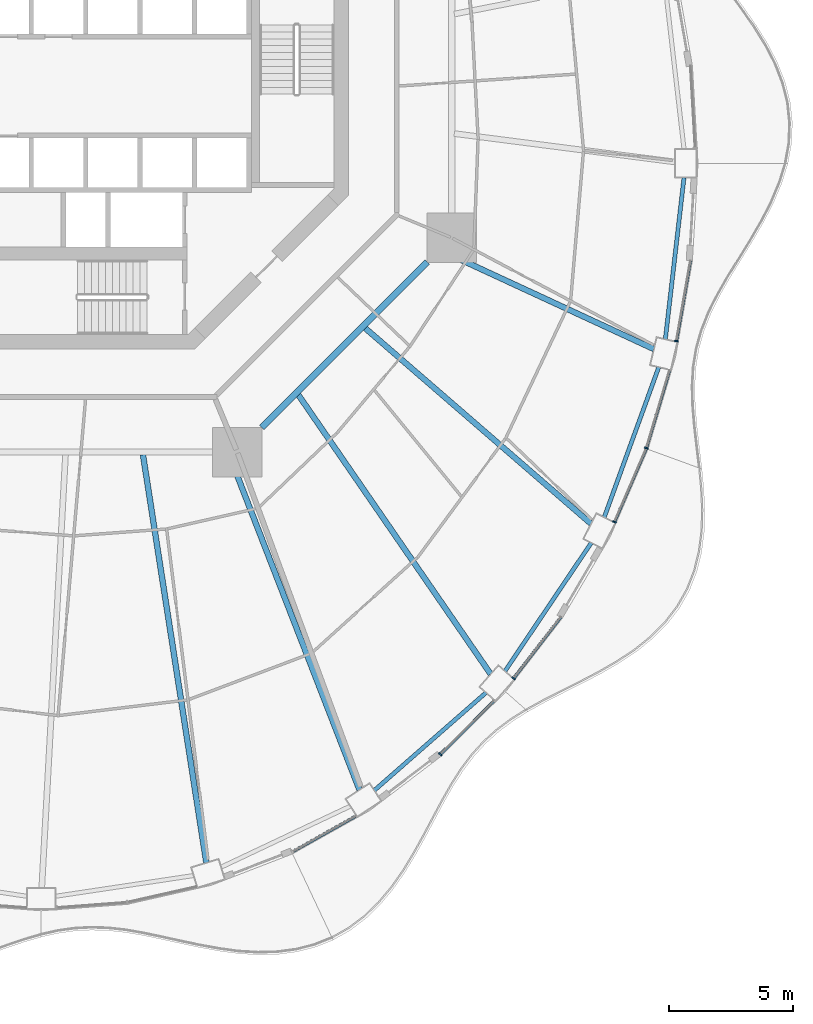
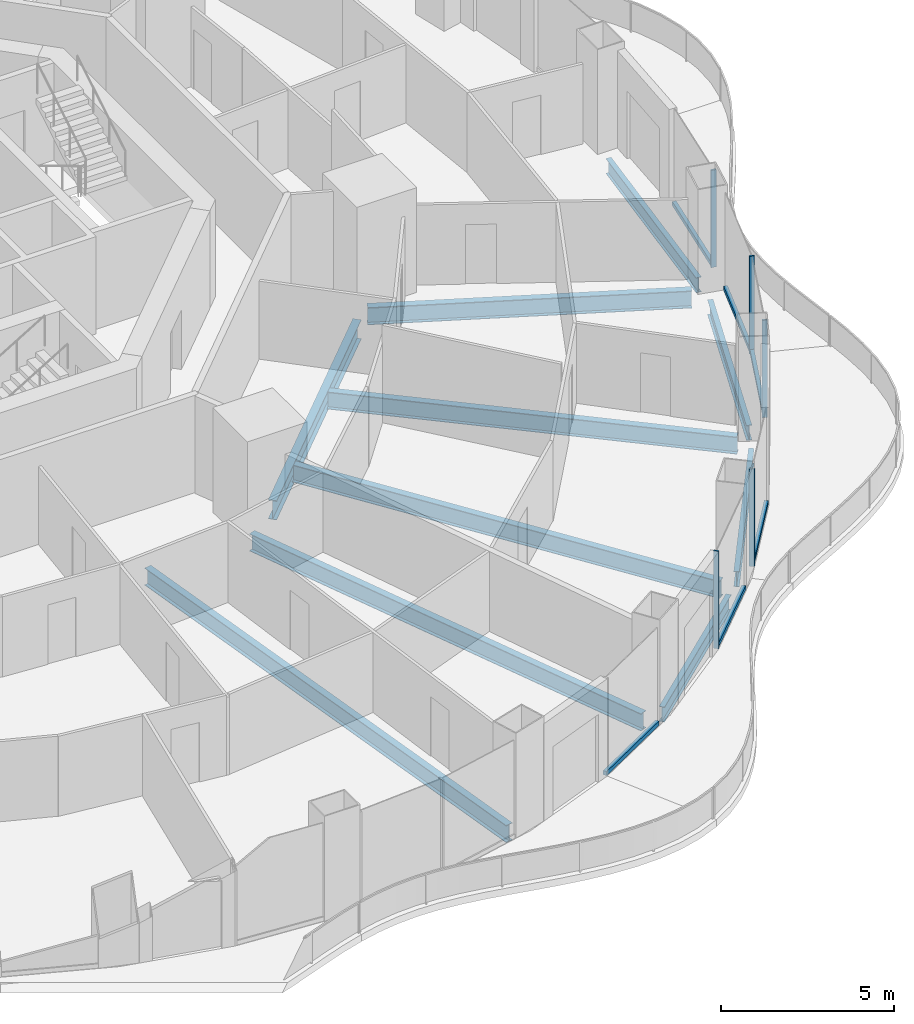
# One storey, part 5 of 20: 11 members, 10 beams, 6 elements without a shape of their own.
"""IFC4 building model written with IfcOpenShell, lengths in metres."""

from ifc_helpers import new_model, si_unit, direction, frame, origin, origin_2d, place, context, subcontext, project, spatial, rectangle, i_section, extrude, material, layer, layer_set, material_profile, profile_set, type_object, element, aggregate, save


model = new_model("IFC4")

# Units and contexts
model_context = context("Model", 3, precision=1e-05, world=origin(), true_north=direction((0.0, 1.0)))
body_context = subcontext(model_context, "Body", "Model", "MODEL_VIEW")
ifc_project = project(units=[si_unit("LENGTHUNIT", "METRE"), si_unit("AREAUNIT", "SQUARE_METRE"), si_unit("VOLUMEUNIT", "CUBIC_METRE"), si_unit("PLANEANGLEUNIT", "RADIAN"), si_unit("MASSUNIT", "GRAM", prefix="KILO")], contexts=[model_context])

# Site, building, storey
site_placement = place(None, origin())
site = spatial("IfcSite", under=ifc_project, at=site_placement, CompositionType="ELEMENT")
building_placement = place(site_placement, origin())
building = spatial("IfcBuilding", under=site, at=building_placement, Name="Nagisa Residences", CompositionType="ELEMENT")
storey_placement = place(building_placement, frame((0.0, 0.0, 123.300048828125)))
storey = spatial("IfcBuildingStorey", under=building, at=storey_placement, Name="L30", CompositionType="ELEMENT", Elevation=123.300048828125)

# Curtain wall, member
ifc_material_1 = material(Name="Concrete-coloured aluminium curtain wall system", Category="concrete")
ifc_layer = layer(ifc_material_1, 0.159912109375)
ifc_layer_set = layer_set([ifc_layer], Name="CW1 CURTAIN WALL")
curtain_wall_type = type_object("IfcCurtainWallType", Name="CW1 CURTAIN WALL", PredefinedType="NOTDEFINED", material=ifc_layer_set)
curtain_wall_1_placement = place(storey_placement, origin())
curtain_wall_1 = element("IfcCurtainWall", 1, at=curtain_wall_1_placement, inside=storey, type_object=curtain_wall_type, Name="cw:CW1:L30:41", PredefinedType="NOTDEFINED")
ifc_material_2 = material(Name="Concrete-coloured aluminium", Category="concrete")
ifc_material_profile_1 = material_profile(ifc_material_2, rectangle(XDim=0.159912109375, YDim=0.06005859375, at=origin_2d()), Name="CW1 MULLION 160x60")
ifc_profile_set_1 = profile_set([ifc_material_profile_1], Name="Concrete-coloured aluminium")
member_type_1 = type_object("IfcMemberType", Name="CW1 MULLION 160x60", PredefinedType="MULLION", material=ifc_profile_set_1)
member_1_placement = place(storey_placement, frame((14.318115234375, -26.9951171875, 0.0), z_axis=(0.0, 0.0, 1.0), x_axis=(-0.706376885714, 0.707835924016, 0.0)))
member_1 = element("IfcMember", 2, at=member_1_placement, type_object=member_type_1, Name="CW1 mullion", PredefinedType="MULLION", context=body_context, shape_type="SweptSolid", body=[
    extrude(rectangle(XDim=0.159912109375, YDim=0.06005859375, at=origin_2d()), origin(), (0.0, 0.0, 1.0), 3.43994140625),
])

curtain_wall_2_placement = place(storey_placement, origin())
curtain_wall_2 = element("IfcCurtainWall", 3, at=curtain_wall_2_placement, inside=storey, type_object=curtain_wall_type, Name="cw:CW1:L30:42", PredefinedType="NOTDEFINED")
member_2_placement = place(storey_placement, frame((17.2841796875, -23.9208984375, 0.0), z_axis=(0.0, 0.0, 1.0), x_axis=(-0.792070340816, 0.610429828235, 0.0)))
member_2 = element("IfcMember", 4, at=member_2_placement, type_object=member_type_1, Name="CW1 mullion", PredefinedType="MULLION", context=body_context, shape_type="SweptSolid", body=[
    extrude(rectangle(XDim=0.159912109375, YDim=0.06005859375, at=origin_2d()), origin(), (0.0, 0.0, 1.0), 3.43994140625),
])

curtain_wall_3_placement = place(storey_placement, origin())
curtain_wall_3 = element("IfcCurtainWall", 5, at=curtain_wall_3_placement, inside=storey, type_object=curtain_wall_type, Name="cw:CW1:L30:44", PredefinedType="NOTDEFINED")
member_3_placement = place(storey_placement, frame((21.357177734375, -17.605224609375, 0.0), z_axis=(0.0, 0.0, 1.0), x_axis=(-0.917543276295, 0.397635934147, 0.0)))
member_3 = element("IfcMember", 6, at=member_3_placement, type_object=member_type_1, Name="CW1 mullion", PredefinedType="MULLION", context=body_context, shape_type="SweptSolid", body=[
    extrude(rectangle(XDim=0.159912109375, YDim=0.06005859375, at=origin_2d()), origin(), (0.0, 0.0, 1.0), 3.43994140625),
])

curtain_wall_4_placement = place(storey_placement, origin())
curtain_wall_4 = element("IfcCurtainWall", 7, at=curtain_wall_4_placement, inside=storey, type_object=curtain_wall_type, Name="cw:CW1:L30:45", PredefinedType="NOTDEFINED")
member_4_placement = place(storey_placement, frame((22.64697265625, -14.62109375, 0.0), z_axis=(0.0, 0.0, 1.0), x_axis=(-0.958271310082, 0.285860274038, 0.0)))
member_4 = element("IfcMember", 8, at=member_4_placement, type_object=member_type_1, Name="CW1 mullion", PredefinedType="MULLION", context=body_context, shape_type="SweptSolid", body=[
    extrude(rectangle(XDim=0.159912109375, YDim=0.06005859375, at=origin_2d()), origin(), (0.0, 0.0, 1.0), 3.43994140625),
])

curtain_wall_5_placement = place(storey_placement, origin())
curtain_wall_5 = element("IfcCurtainWall", 9, at=curtain_wall_5_placement, inside=storey, type_object=curtain_wall_type, Name="cw:CW1:L30:46", PredefinedType="NOTDEFINED")
member_5_placement = place(storey_placement, frame((23.860595703125, -10.29833984375, 0.0), z_axis=(0.0, 0.0, 1.0), x_axis=(-0.985063604377, 0.172190868898, 0.0)))
member_5 = element("IfcMember", 10, at=member_5_placement, type_object=member_type_1, Name="CW1 mullion", PredefinedType="MULLION", context=body_context, shape_type="SweptSolid", body=[
    extrude(rectangle(XDim=0.159912109375, YDim=0.06005859375, at=origin_2d()), origin(), (0.0, 0.0, 1.0), 3.43994140625),
])

curtain_wall_6_placement = place(storey_placement, origin())
curtain_wall_6 = element("IfcCurtainWall", 11, at=curtain_wall_6_placement, inside=storey, type_object=curtain_wall_type, Name="cw:CW1:L30:39", PredefinedType="NOTDEFINED")
ifc_material_3 = material(Name="Concrete-coloured aluminium", Category="concrete")
ifc_material_profile_2 = material_profile(ifc_material_3, rectangle(XDim=0.1201171875, YDim=0.14990234375, at=origin_2d()), Name="CW1 TRANSOM 120x150")
ifc_profile_set_2 = profile_set([ifc_material_profile_2], Name="Concrete-coloured aluminium")
member_type_2 = type_object("IfcMemberType", Name="CW1 TRANSOM 120x150", PredefinedType="USERDEFINED", material=ifc_profile_set_2)
member_6_placement = place(storey_placement, frame((8.3154296875, -30.944580078125, 0.074951171875), z_axis=(0.87204719449, 0.4894217921, 0.0), x_axis=(-0.4894217921, 0.87204719449, 0.0)))
member_6 = element("IfcMember", 12, at=member_6_placement, type_object=member_type_2, Name="CW1 transom", ObjectType="TRANSOM", PredefinedType="USERDEFINED", context=body_context, shape_type="SweptSolid", body=[
    extrude(rectangle(XDim=0.1201171875, YDim=0.14990234375, at=origin_2d()), origin(), (0.0, 0.0, 1.0), 2.969482421875),
])
aggregate(curtain_wall_6, [member_6])

# Member
member_7_placement = place(storey_placement, frame((14.296875, -27.016357421875, 0.074951171875), z_axis=(0.707857739375, 0.706355024621, 0.0), x_axis=(-0.706355024621, 0.707857739375, 0.0)))
member_7 = element("IfcMember", 13, at=member_7_placement, type_object=member_type_2, Name="CW1 transom", ObjectType="TRANSOM", PredefinedType="USERDEFINED", context=body_context, shape_type="SweptSolid", body=[
    extrude(rectangle(XDim=0.1201171875, YDim=0.14990234375, at=origin_2d()), origin(), (0.0, 0.0, 1.0), 3.0869140625),
])

aggregate(curtain_wall_1, [member_1, member_7])

member_8_placement = place(storey_placement, frame((17.265869140625, -23.94482421875, 0.074951171875), z_axis=(0.610429847179, 0.792070326217, 0.0), x_axis=(-0.792070326217, 0.610429847179, 0.0)))
member_8 = element("IfcMember", 14, at=member_8_placement, type_object=member_type_2, Name="CW1 transom", ObjectType="TRANSOM", PredefinedType="USERDEFINED", context=body_context, shape_type="SweptSolid", body=[
    extrude(rectangle(XDim=0.1201171875, YDim=0.14990234375, at=origin_2d()), origin(), (0.0, 0.0, 1.0), 3.149169921875),
])

aggregate(curtain_wall_2, [member_2, member_8])

member_9_placement = place(storey_placement, frame((21.34521484375, -17.6328125, 0.074951171875), z_axis=(0.397666272939, 0.917530127771, 0.0), x_axis=(-0.917530127771, 0.397666272939, 0.0)))
member_9 = element("IfcMember", 15, at=member_9_placement, type_object=member_type_2, Name="CW1 transom", ObjectType="TRANSOM", PredefinedType="USERDEFINED", context=body_context, shape_type="SweptSolid", body=[
    extrude(rectangle(XDim=0.1201171875, YDim=0.14990234375, at=origin_2d()), origin(), (0.0, 0.0, 1.0), 3.260498046875),
])

aggregate(curtain_wall_3, [member_3, member_9])

member_10_placement = place(storey_placement, frame((22.638427734375, -14.64990234375, 0.074951171875), z_axis=(0.285909915381, 0.958256500258, 0.0), x_axis=(-0.958256500258, 0.285909915381, 0.0)))
member_10 = element("IfcMember", 16, at=member_10_placement, type_object=member_type_2, Name="CW1 transom", ObjectType="TRANSOM", PredefinedType="USERDEFINED", context=body_context, shape_type="SweptSolid", body=[
    extrude(rectangle(XDim=0.1201171875, YDim=0.14990234375, at=origin_2d()), origin(), (0.0, 0.0, 1.0), 3.302978515625),
])

aggregate(curtain_wall_4, [member_4, member_10])

member_11_placement = place(storey_placement, frame((23.85546875, -10.327880859375, 0.074951171875), z_axis=(0.172163521006, 0.985068384446, 0.0), x_axis=(-0.985068384446, 0.172163521006, 0.0)))
member_11 = element("IfcMember", 17, at=member_11_placement, type_object=member_type_2, Name="CW1 transom", ObjectType="TRANSOM", PredefinedType="USERDEFINED", context=body_context, shape_type="SweptSolid", body=[
    extrude(rectangle(XDim=0.1201171875, YDim=0.14990234375, at=origin_2d()), origin(), (0.0, 0.0, 1.0), 3.33251953125),
])

aggregate(curtain_wall_5, [member_5, member_11])

# Beams
ifc_material_4 = material(Name="Steel ASTM A572 Gr 50", Category="steel")
ifc_material_profile_3 = material_profile(ifc_material_4, i_section(OverallWidth=0.25390625, OverallDepth=0.68408203125, WebThickness=0.012451171875, FlangeThickness=0.018798828125, at=origin_2d()), Name="W690x140")
ifc_profile_set_3 = profile_set([ifc_material_profile_3], Name="Steel ASTM A572 Gr 50")
beam_type_1 = type_object("IfcBeamType", Name="Inner ring beam W690x140", PredefinedType="BEAM", material=ifc_profile_set_3)
beam_1_placement = place(storey_placement, frame((7.10888671875, -13.796142578125, -0.60205078125), z_axis=(0.707106781187, 0.707106781187, 0.0), x_axis=(-0.707106781187, 0.707106781187, 0.0)))
element("IfcBeam", 18, at=beam_1_placement, inside=storey, type_object=beam_type_1, Name="beam:L30:ib7", PredefinedType="BEAM", context=body_context, shape_type="SweptSolid", body=[
    extrude(i_section(OverallWidth=0.25390625, OverallDepth=0.68408203125, WebThickness=0.012451171875, FlangeThickness=0.018798828125, at=origin_2d()), origin(), (0.0, 0.0, 1.0), 9.457275390625),
])
ifc_material_5 = material(Name="Steel ASTM A572 Gr 50", Category="steel")
ifc_material_profile_4 = material_profile(ifc_material_5, i_section(OverallWidth=0.166015625, OverallDepth=0.534912109375, WebThickness=0.01025390625, FlangeThickness=0.0166015625, at=origin_2d()), Name="W530x85")
ifc_profile_set_4 = profile_set([ifc_material_profile_4], Name="Steel ASTM A572 Gr 50")
beam_type_2 = type_object("IfcBeamType", Name="Perimeter ring beam W530x85", PredefinedType="BEAM", material=ifc_profile_set_4)
beam_2_placement = place(storey_placement, frame((11.658203125, -28.448486328125, -0.527587890625), z_axis=(0.75252371036, 0.658565156493, 0.0), x_axis=(-0.658565156493, 0.75252371036, 0.0)))
element("IfcBeam", 19, at=beam_2_placement, inside=storey, type_object=beam_type_2, Name="beam:L30:pb21", PredefinedType="BEAM", context=body_context, shape_type="SweptSolid", body=[
    extrude(i_section(OverallWidth=0.166015625, OverallDepth=0.534912109375, WebThickness=0.01025390625, FlangeThickness=0.0166015625, at=origin_2d()), origin(), (0.0, 0.0, 1.0), 5.994384765625),
])
beam_3_placement = place(storey_placement, frame((16.93603515625, -23.6298828125, -0.527587890625), z_axis=(0.558187951157, 0.82971453596, 0.0), x_axis=(-0.82971453596, 0.558187951157, 0.0)))
element("IfcBeam", 20, at=beam_3_placement, inside=storey, type_object=beam_type_2, Name="beam:L30:pb22", PredefinedType="BEAM", context=body_context, shape_type="SweptSolid", body=[
    extrude(i_section(OverallWidth=0.166015625, OverallDepth=0.534912109375, WebThickness=0.01025390625, FlangeThickness=0.0166015625, at=origin_2d()), origin(), (0.0, 0.0, 1.0), 6.24267578125),
])
beam_4_placement = place(storey_placement, frame((20.946533203125, -17.415771484375, -0.527587890625), z_axis=(0.341332802315, 0.93994250785, 0.0), x_axis=(-0.93994250785, 0.341332802315, 0.0)))
element("IfcBeam", 21, at=beam_4_placement, inside=storey, type_object=beam_type_2, Name="beam:L30:pb23", PredefinedType="BEAM", context=body_context, shape_type="SweptSolid", body=[
    extrude(i_section(OverallWidth=0.166015625, OverallDepth=0.534912109375, WebThickness=0.01025390625, FlangeThickness=0.0166015625, at=origin_2d()), origin(), (0.0, 0.0, 1.0), 6.450927734375),
])
beam_5_placement = place(storey_placement, frame((23.414794921875, -10.22314453125, -0.527587890625), z_axis=(0.114660786771, 0.993404703017, 0.0), x_axis=(-0.993404703017, 0.114660786771, 0.0)))
element("IfcBeam", 22, at=beam_5_placement, inside=storey, type_object=beam_type_2, Name="beam:L30:pb24", PredefinedType="BEAM", context=body_context, shape_type="SweptSolid", body=[
    extrude(i_section(OverallWidth=0.166015625, OverallDepth=0.534912109375, WebThickness=0.01025390625, FlangeThickness=0.0166015625, at=origin_2d()), origin(), (0.0, 0.0, 1.0), 6.568603515625),
])
ifc_material_6 = material(Name="Steel ASTM A572 Gr 50", Category="steel")
ifc_material_profile_5 = material_profile(ifc_material_6, i_section(OverallWidth=0.22900390625, OverallDepth=0.612060546875, WebThickness=0.011962890625, FlangeThickness=0.01953125, at=origin_2d()), Name="W610x125")
ifc_profile_set_5 = profile_set([ifc_material_profile_5], Name="Steel ASTM A572 Gr 50")
beam_type_3 = type_object("IfcBeamType", Name="Radial beam W610x125", PredefinedType="BEAM", material=ifc_profile_set_5)
beam_6_placement = place(storey_placement, frame((4.87158203125, -31.371337890625, -0.566162109375), z_axis=(-0.153441816097, 0.988157684316, 0.0), x_axis=(-0.988157684316, -0.153441816097, 0.0)))
element("IfcBeam", 23, at=beam_6_placement, inside=storey, type_object=beam_type_3, Name="beam:L30:rb20", PredefinedType="BEAM", context=body_context, shape_type="SweptSolid", body=[
    extrude(i_section(OverallWidth=0.22900390625, OverallDepth=0.612060546875, WebThickness=0.011962890625, FlangeThickness=0.01953125, at=origin_2d()), origin(), (0.0, 0.0, 1.0), 16.679443359375),
])
beam_7_placement = place(storey_placement, frame((11.057861328125, -28.424072265625, -0.566162109375), z_axis=(-0.362553351511, 0.931963018208, 0.0), x_axis=(-0.931963018208, -0.362553351511, 0.0)))
element("IfcBeam", 24, at=beam_7_placement, inside=storey, type_object=beam_type_3, Name="beam:L30:rb21", PredefinedType="BEAM", context=body_context, shape_type="SweptSolid", body=[
    extrude(i_section(OverallWidth=0.22900390625, OverallDepth=0.612060546875, WebThickness=0.011962890625, FlangeThickness=0.01953125, at=origin_2d()), origin(), (0.0, 0.0, 1.0), 14.521728515625),
])
beam_8_placement = place(storey_placement, frame((16.357666015625, -23.74951171875, -0.566162109375), z_axis=(-0.567235127754, 0.823555893575, 0.0), x_axis=(-0.823555893575, -0.567235127754, 0.0)))
element("IfcBeam", 25, at=beam_8_placement, inside=storey, type_object=beam_type_3, Name="beam:L30:rb22", PredefinedType="BEAM", context=body_context, shape_type="SweptSolid", body=[
    extrude(i_section(OverallWidth=0.22900390625, OverallDepth=0.612060546875, WebThickness=0.011962890625, FlangeThickness=0.01953125, at=origin_2d()), origin(), (0.0, 0.0, 1.0), 13.697509765625),
])
beam_9_placement = place(storey_placement, frame((20.41162109375, -17.6748046875, -0.566162109375), z_axis=(-0.755973913649, 0.654601742957, 0.0), x_axis=(-0.654601742957, -0.755973913649, 0.0)))
element("IfcBeam", 26, at=beam_9_placement, inside=storey, type_object=beam_type_3, Name="beam:L30:rb23", PredefinedType="BEAM", context=body_context, shape_type="SweptSolid", body=[
    extrude(i_section(OverallWidth=0.22900390625, OverallDepth=0.612060546875, WebThickness=0.011962890625, FlangeThickness=0.01953125, at=origin_2d()), origin(), (0.0, 0.0, 1.0), 12.072998046875),
])
beam_10_placement = place(storey_placement, frame((22.94921875, -10.618896484375, -0.566162109375), z_axis=(-0.907551024181, 0.419941827528, 0.0), x_axis=(-0.419941827528, -0.907551024181, 0.0)))
element("IfcBeam", 27, at=beam_10_placement, inside=storey, type_object=beam_type_3, Name="beam:L30:rb24", PredefinedType="BEAM", context=body_context, shape_type="SweptSolid", body=[
    extrude(i_section(OverallWidth=0.22900390625, OverallDepth=0.612060546875, WebThickness=0.011962890625, FlangeThickness=0.01953125, at=origin_2d()), origin(), (0.0, 0.0, 1.0), 9.424072265625),
])

save(model, "model.ifc")
